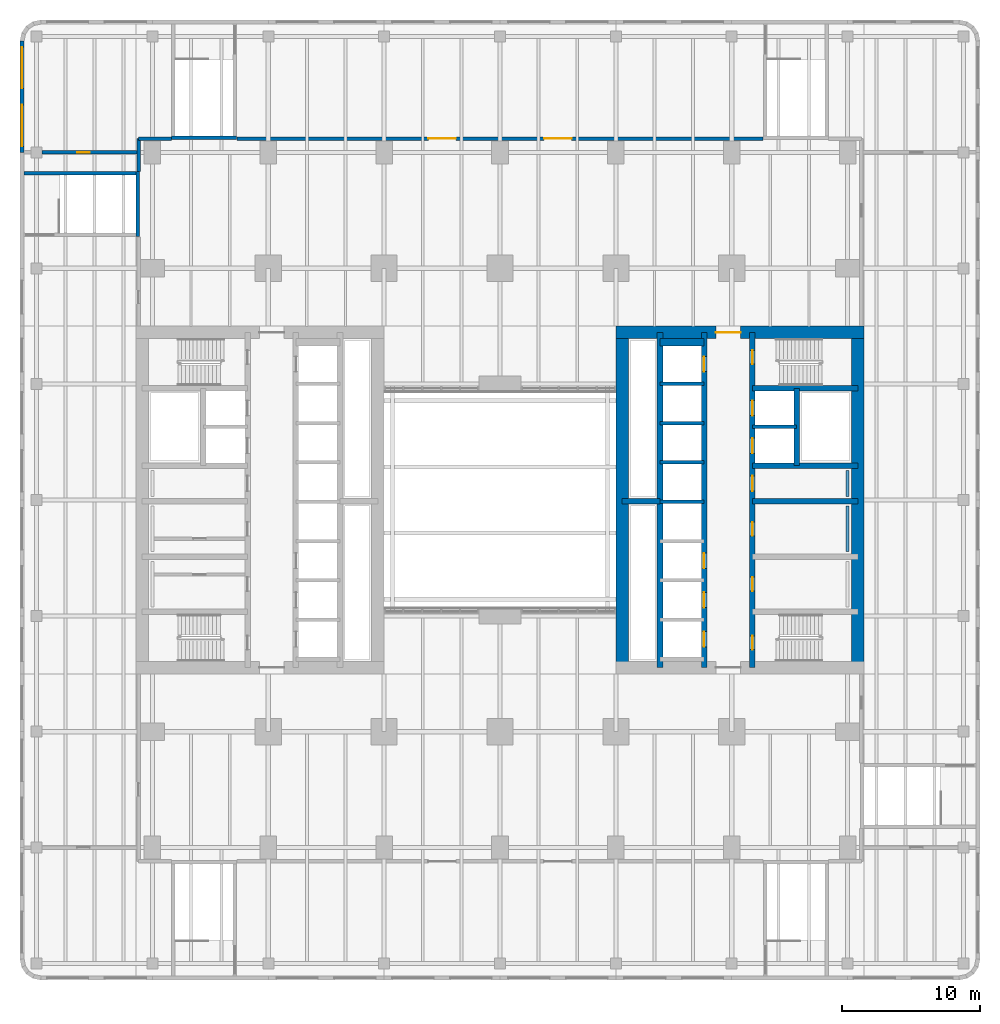
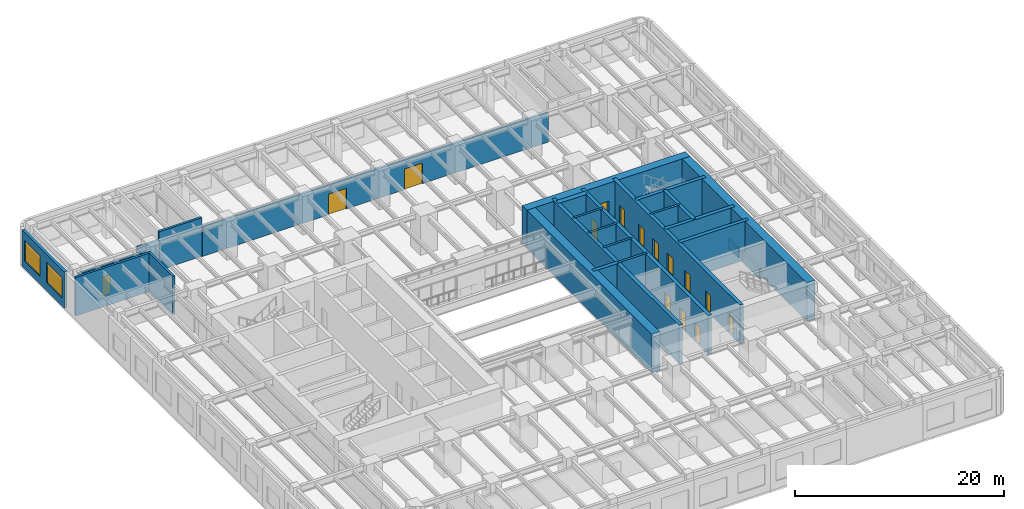
# One storey, part 12 of 22: 27 walls, 15 doors, 2 windows, 17 openings.
"""IFC4 building model written with IfcOpenShell, lengths in metres."""

from ifc_helpers import new_model, si_unit, direction, frame, frame_2d, origin, place, context, subcontext, project, spatial, rectangle, extrude, material, layer, layer_set, type_object, element, fill, save


model = new_model("IFC4")

# Units and contexts
model_context = context("Model", 3, precision=1e-05, world=origin(), true_north=direction((0.0, 1.0)))
body_context = subcontext(model_context, "Body", "Model", "MODEL_VIEW")
ifc_project = project(units=[si_unit("LENGTHUNIT", "METRE"), si_unit("AREAUNIT", "SQUARE_METRE"), si_unit("VOLUMEUNIT", "CUBIC_METRE"), si_unit("PLANEANGLEUNIT", "RADIAN"), si_unit("MASSUNIT", "GRAM", prefix="KILO")], contexts=[model_context])

# Site, building, storey
site_placement = place(None, origin())
site = spatial("IfcSite", under=ifc_project, at=site_placement, CompositionType="ELEMENT")
building_placement = place(site_placement, origin())
building = spatial("IfcBuilding", under=site, at=building_placement, Name="Claustro Exchange Tower", CompositionType="ELEMENT")
storey_placement = place(building_placement, frame((0.0, 0.0, 14.39990234375)))
storey = spatial("IfcBuildingStorey", under=building, at=storey_placement, Name="L03", CompositionType="ELEMENT", Elevation=14.39990234375)

# Wall
ifc_material_1 = material(Name="Concrete blockwork, rendered", Category="masonry")
ifc_layer_1 = layer(ifc_material_1, 0.25)
ifc_layer_set_1 = layer_set([ifc_layer_1], Name="Concrete blockwork, rendered")
wall_type_1 = type_object("IfcWallType", Name="P4 250 blockwork wall", PredefinedType="PARTITIONING", material=ifc_layer_set_1)
wall_1_placement = place(storey_placement, frame((-1.0, 51.39990234375, 0.0), z_axis=(0.0, 0.0, 1.0), x_axis=(1.0, 0.0, 0.0)))
element("IfcWall", 1, at=wall_1_placement, inside=storey, type_object=wall_type_1, Name="Partition P4 L03", PredefinedType="PARTITIONING", context=body_context, shape_type="SweptSolid", body=[
    extrude(rectangle(XDim=2.3798828125, YDim=0.25, at=frame_2d((1.18994140625, 0.0))), origin(), (0.0, 0.0, 1.0), 3.60009765625),
])

# Wall, openings, doors
wall_2_placement = place(storey_placement, frame((6.1201171875, 51.39990234375, 0.0), z_axis=(0.0, 0.0, 1.0), x_axis=(1.0, 0.0, 0.0)))
wall_2 = element("IfcWall", 2, at=wall_2_placement, inside=storey, type_object=wall_type_1, Name="Partition P4 L03", PredefinedType="PARTITIONING", context=body_context, shape_type="SweptSolid", body=[
    extrude(rectangle(XDim=38.159912109375, YDim=0.25, at=frame_2d((19.080078125, 0.0))), origin(), (0.0, 0.0, 1.0), 3.4501953125),
])
opening_1_placement = place(wall_2_placement, frame((13.8798828125, 0.0, 0.0)))
opening_1 = element("IfcOpeningElement", 3, at=opening_1_placement, cuts=wall_2, Name="Opening D9", PredefinedType="OPENING", context=body_context, shape_type="SweptSolid", body=[
    extrude(rectangle(XDim=2.0, YDim=2.39990234375, at=frame_2d((1.0, 1.199951171875))), frame((0.0, 0.135009765625, 0.0), z_axis=(0.0, -1.0, 0.0), x_axis=(1.0, 0.0, 0.0)), (0.0, 0.0, 1.0), 0.27001953125),
])
opening_2_placement = place(wall_2_placement, frame((22.280029296875, 0.0, 0.0)))
opening_2 = element("IfcOpeningElement", 4, at=opening_2_placement, cuts=wall_2, Name="Opening D9", PredefinedType="OPENING", context=body_context, shape_type="SweptSolid", body=[
    extrude(rectangle(XDim=2.0, YDim=2.39990234375, at=frame_2d((1.0, 1.199951171875))), frame((0.0, 0.135009765625, 0.0), z_axis=(0.0, -1.0, 0.0), x_axis=(1.0, 0.0, 0.0)), (0.0, 0.0, 1.0), 0.27001953125),
])
ifc_material_2 = material(Name="Steel fire door, painted", Category="steel")
door_type_1 = type_object("IfcDoorType", Name="D9 2000 x 2400 plant room double door", OperationType="DOUBLE_DOOR_SINGLE_SWING", PredefinedType="DOOR", material=ifc_material_2)
door_1_placement = place(opening_1_placement, frame((2.0, 0.0, 0.0), z_axis=(0.0, 0.0, 1.0), x_axis=(-1.0, 0.0, 0.0)))
door_1 = element("IfcDoor", 5, at=door_1_placement, inside=storey, type_object=door_type_1, Name="Double door D9 L03", OperationType="DOUBLE_DOOR_SINGLE_SWING", OverallHeight=2.39990234375, OverallWidth=2.0, PredefinedType="DOOR", context=body_context, shape_type="SweptSolid", body=[
    extrude(rectangle(XDim=2.0, YDim=2.39990234375, at=frame_2d((1.0, 1.199951171875))), frame((0.0, 0.02490234375, 0.0), z_axis=(0.0, -1.0, 0.0), x_axis=(1.0, 0.0, 0.0)), (0.0, 0.0, 1.0), 0.050048828125),
])
fill(opening_1, door_1)
door_2_placement = place(opening_2_placement, frame((2.0, 0.0, 0.0), z_axis=(0.0, 0.0, 1.0), x_axis=(-1.0, 0.0, 0.0)))
door_2 = element("IfcDoor", 6, at=door_2_placement, inside=storey, type_object=door_type_1, Name="Double door D9 L03", OperationType="DOUBLE_DOOR_SINGLE_SWING", OverallHeight=2.39990234375, OverallWidth=2.0, PredefinedType="DOOR", context=body_context, shape_type="SweptSolid", body=[
    extrude(rectangle(XDim=2.0, YDim=2.39990234375, at=frame_2d((1.0, 1.199951171875))), frame((0.0, 0.02490234375, 0.0), z_axis=(0.0, -1.0, 0.0), x_axis=(1.0, 0.0, 0.0)), (0.0, 0.0, 1.0), 0.050048828125),
])
fill(opening_2, door_2)

# Wall, opening, door
wall_3_placement = place(storey_placement, frame((-8.0009765625, 50.39990234375, 0.0), z_axis=(0.0, 0.0, 1.0), x_axis=(1.0, 0.0, 0.0)))
wall_3 = element("IfcWall", 7, at=wall_3_placement, inside=storey, type_object=wall_type_1, Name="Partition P4 L03", PredefinedType="PARTITIONING", context=body_context, shape_type="SweptSolid", body=[
    extrude(rectangle(XDim=6.876953125, YDim=0.25, at=frame_2d((3.4384765625, 0.0))), origin(), (0.0, 0.0, 1.0), 3.60009765625),
])
opening_3_placement = place(wall_3_placement, frame((2.551025390625, 0.0, 0.0)))
opening_3 = element("IfcOpeningElement", 8, at=opening_3_placement, cuts=wall_3, Name="Opening D12", PredefinedType="OPENING", context=body_context, shape_type="SweptSolid", body=[
    extrude(rectangle(XDim=0.89990234375, YDim=2.199951171875, at=frame_2d((0.449951171875, 1.10009765625))), frame((0.0, 0.135009765625, 0.0), z_axis=(0.0, -1.0, 0.0), x_axis=(1.0, 0.0, 0.0)), (0.0, 0.0, 1.0), 0.27001953125),
])
ifc_material_3 = material(Name="Steel door, painted", Category="steel")
door_type_2 = type_object("IfcDoorType", Name="D12 900 x 2200 plant and store room door", OperationType="SINGLE_SWING_LEFT", PredefinedType="DOOR", material=ifc_material_3)
door_3_placement = place(opening_3_placement, frame((0.89990234375, 0.0, 0.0), z_axis=(0.0, 0.0, 1.0), x_axis=(-1.0, 0.0, 0.0)))
door_3 = element("IfcDoor", 9, at=door_3_placement, inside=storey, type_object=door_type_2, Name="Door D12 L03", OperationType="SINGLE_SWING_LEFT", OverallHeight=2.199951171875, OverallWidth=0.89990234375, PredefinedType="DOOR", context=body_context, shape_type="SweptSolid", body=[
    extrude(rectangle(XDim=0.89990234375, YDim=2.199951171875, at=frame_2d((0.449951171875, 1.10009765625))), frame((0.0, 0.02490234375, 0.0), z_axis=(0.0, -1.0, 0.0), x_axis=(1.0, 0.0, 0.0)), (0.0, 0.0, 1.0), 0.050048828125),
])
fill(opening_3, door_3)

# Wall
wall_4_placement = place(storey_placement, frame((-1.0, 49.02001953125, 0.0), z_axis=(0.0, 0.0, 1.0), x_axis=(0.0, 1.0, 0.0)))
element("IfcWall", 10, at=wall_4_placement, inside=storey, type_object=wall_type_1, Name="Partition P4 L03", PredefinedType="PARTITIONING", context=body_context, shape_type="SweptSolid", body=[
    extrude(rectangle(XDim=2.3798828125, YDim=0.25, at=frame_2d((1.18994140625, 0.0))), origin(), (0.0, 0.0, 1.0), 3.60009765625),
])

# Wall, openings, windows
ifc_material_4 = material(Name="Concrete HA-40 (C40/50), precast, white cement, acid-etched", Category="concrete")
ifc_layer_2 = layer(ifc_material_4, 0.300048828125)
ifc_layer_set_2 = layer_set([ifc_layer_2], Name="Concrete HA-40 (C40/50), precast, white cement, acid-etched")
wall_type_2 = type_object("IfcWallType", Name="PC1 300 precast concrete pier panel", PredefinedType="SOLIDWALL", material=ifc_layer_set_2)
wall_5_placement = place(storey_placement, frame((-9.449951171875, 50.39990234375, 0.0), z_axis=(0.0, 0.0, 1.0), x_axis=(0.0, 1.0, 0.0)))
wall_5 = element("IfcWall", 11, at=wall_5_placement, inside=storey, type_object=wall_type_2, Name="Precast pier panel PC1 L03", PredefinedType="SOLIDWALL", context=body_context, shape_type="SweptSolid", body=[
    extrude(rectangle(XDim=8.085205078125, YDim=0.300048828125, at=frame_2d((4.04248046875, 0.0))), origin(), (0.0, 0.0, 1.0), 4.25),
])
opening_4_placement = place(wall_5_placement, frame((0.442626953125, 0.0, 0.89990234375)))
opening_4 = element("IfcOpeningElement", 12, at=opening_4_placement, cuts=wall_5, Name="Opening W3", PredefinedType="OPENING", context=body_context, shape_type="SweptSolid", body=[
    extrude(rectangle(XDim=3.0, YDim=2.39990234375, at=frame_2d((1.5, 1.199951171875))), frame((0.0, 0.159912109375, 0.0), z_axis=(0.0, -1.0, 0.0), x_axis=(1.0, 0.0, 0.0)), (0.0, 0.0, 1.0), 0.320068359375),
])
opening_5_placement = place(wall_5_placement, frame((4.642578125, 0.0, 0.89990234375)))
opening_5 = element("IfcOpeningElement", 13, at=opening_5_placement, cuts=wall_5, Name="Opening W3", PredefinedType="OPENING", context=body_context, shape_type="SweptSolid", body=[
    extrude(rectangle(XDim=3.0, YDim=2.39990234375, at=frame_2d((1.5, 1.199951171875))), frame((0.0, 0.159912109375, 0.0), z_axis=(0.0, -1.0, 0.0), x_axis=(1.0, 0.0, 0.0)), (0.0, 0.0, 1.0), 0.320068359375),
])
ifc_material_5 = material(Name="Aluminium frame, clear double glazing", Category="aluminium")
window_type = type_object("IfcWindowType", Name="W3 3000 x 2400 window", PartitioningType="SINGLE_PANEL", PredefinedType="WINDOW", material=ifc_material_5)
window_1_placement = place(opening_4_placement, origin())
window_1 = element("IfcWindow", 14, at=window_1_placement, inside=storey, type_object=window_type, Name="Window W3 L03", OverallHeight=2.39990234375, OverallWidth=3.0, PartitioningType="SINGLE_PANEL", PredefinedType="WINDOW", context=body_context, shape_type="SweptSolid", body=[
    extrude(rectangle(XDim=3.0, YDim=2.39990234375, at=frame_2d((1.5, 1.199951171875))), frame((0.0, 0.030029296875, 0.0), z_axis=(0.0, -1.0, 0.0), x_axis=(1.0, 0.0, 0.0)), (0.0, 0.0, 1.0), 0.06005859375),
])
fill(opening_4, window_1)
window_2_placement = place(opening_5_placement, origin())
window_2 = element("IfcWindow", 15, at=window_2_placement, inside=storey, type_object=window_type, Name="Window W3 L03", OverallHeight=2.39990234375, OverallWidth=3.0, PartitioningType="SINGLE_PANEL", PredefinedType="WINDOW", context=body_context, shape_type="SweptSolid", body=[
    extrude(rectangle(XDim=3.0, YDim=2.39990234375, at=frame_2d((1.5, 1.199951171875))), frame((0.0, 0.030029296875, 0.0), z_axis=(0.0, -1.0, 0.0), x_axis=(1.0, 0.0, 0.0)), (0.0, 0.0, 1.0), 0.06005859375),
])
fill(opening_5, window_2)

# Walls
ifc_material_6 = material(Name="Gypsum board on steel studs, tiled", Category="steel")
ifc_layer_3 = layer(ifc_material_6, 0.199951171875)
ifc_layer_set_3 = layer_set([ifc_layer_3], Name="Gypsum board on steel studs, tiled")
wall_type_3 = type_object("IfcWallType", Name="PW1 200 WC duct wall", PredefinedType="PLUMBINGWALL", material=ifc_layer_set_3)
wall_6_placement = place(storey_placement, frame((50.39990234375, 21.449951171875, 0.0), z_axis=(0.0, 0.0, 1.0), x_axis=(0.0, 1.0, 0.0)))
element("IfcWall", 16, at=wall_6_placement, inside=storey, type_object=wall_type_3, Name="WC duct wall PW1 L03", PredefinedType="PLUMBINGWALL", context=body_context, shape_type="SweptSolid", body=[
    extrude(rectangle(XDim=3.300048828125, YDim=0.199951171875, at=frame_2d((1.64990234375, 0.0))), origin(), (0.0, 0.0, 1.0), 1.2001953125),
])
wall_7_placement = place(storey_placement, frame((50.39990234375, 25.449951171875, 0.0), z_axis=(0.0, 0.0, 1.0), x_axis=(0.0, 1.0, 0.0)))
element("IfcWall", 17, at=wall_7_placement, inside=storey, type_object=wall_type_3, Name="WC duct wall PW1 L03", PredefinedType="PLUMBINGWALL", context=body_context, shape_type="SweptSolid", body=[
    extrude(rectangle(XDim=1.900146484375, YDim=0.199951171875, at=frame_2d((0.9501953125, 0.0))), origin(), (0.0, 0.0, 1.0), 1.2001953125),
])

# Wall, opening, door
ifc_material_7 = material(Name="Concrete HA-70 (C70/85)", Category="concrete")
ifc_layer_4 = layer(ifc_material_7, 0.89990234375)
ifc_layer_set_4 = layer_set([ifc_layer_4], Name="Concrete HA-70 (C70/85)")
wall_type_4 = type_object("IfcWallType", Name="SW1 900 core shear wall", PredefinedType="SHEAR", material=ifc_layer_set_4)
wall_8_placement = place(storey_placement, frame((33.60009765625, 37.35009765625, 0.0), z_axis=(0.0, 0.0, 1.0), x_axis=(1.0, 0.0, 0.0)))
wall_8 = element("IfcWall", 18, at=wall_8_placement, inside=storey, type_object=wall_type_4, Name="Core wall SW1 E core N face L03", PredefinedType="SHEAR", context=body_context, shape_type="SweptSolid", body=[
    extrude(rectangle(XDim=18.0, YDim=0.89990234375, at=frame_2d((9.0, 0.0))), origin(), (0.0, 0.0, 1.0), 4.5),
])
opening_6_placement = place(wall_8_placement, frame((7.25, 0.0, 0.0)))
opening_6 = element("IfcOpeningElement", 19, at=opening_6_placement, cuts=wall_8, Name="Opening D3", PredefinedType="OPENING", context=body_context, shape_type="SweptSolid", body=[
    extrude(rectangle(XDim=1.800048828125, YDim=2.39990234375, at=frame_2d((0.89990234375, 1.199951171875))), frame((0.0, 0.4599609375, 0.0), z_axis=(0.0, -1.0, 0.0), x_axis=(1.0, 0.0, 0.0)), (0.0, 0.0, 1.0), 0.919921875),
])
ifc_material_8 = material(Name="Steel fire door, painted", Category="steel")
door_type_3 = type_object("IfcDoorType", Name="D3 1800 x 2400 fire-rated lobby double door", OperationType="DOUBLE_DOOR_SINGLE_SWING", PredefinedType="DOOR", material=ifc_material_8)
door_4_placement = place(opening_6_placement, frame((1.800048828125, 0.0, 0.0), z_axis=(0.0, 0.0, 1.0), x_axis=(-1.0, 0.0, 0.0)))
door_4 = element("IfcDoor", 20, at=door_4_placement, inside=storey, type_object=door_type_3, Name="Lift lobby door D3 L03", OperationType="DOUBLE_DOOR_SINGLE_SWING", OverallHeight=2.39990234375, OverallWidth=1.800048828125, PredefinedType="DOOR", context=body_context, shape_type="SweptSolid", body=[
    extrude(rectangle(XDim=1.800048828125, YDim=2.39990234375, at=frame_2d((0.89990234375, 1.199951171875))), frame((0.0, 0.02490234375, 0.0), z_axis=(0.0, -1.0, 0.0), x_axis=(1.0, 0.0, 0.0)), (0.0, 0.0, 1.0), 0.050048828125),
])
fill(opening_6, door_4)

# Walls
ifc_material_9 = material(Name="Concrete HA-70 (C70/85)", Category="concrete")
ifc_layer_5 = layer(ifc_material_9, 0.89990234375)
ifc_layer_set_5 = layer_set([ifc_layer_5], Name="Concrete HA-70 (C70/85)")
wall_type_5 = type_object("IfcWallType", Name="SW1X 900 exposed core shear wall, board-marked face", PredefinedType="SHEAR", material=ifc_layer_set_5)
for number, where, z_axis, x_axis, name in (
    (21, (34.050048828125, 13.050048828125, 0.0), (0.0, 0.0, 1.0), (0.0, 1.0, 0.0), "Core wall SW1X E core W face L03"),
    (22, (51.14990234375, 13.050048828125, 0.0), (0.0, 0.0, 1.0), (0.0, 1.0, 0.0), "Core wall SW1X E core E face L03"),
):
    element("IfcWall", number, at=place(storey_placement, frame(where, z_axis=z_axis, x_axis=x_axis)), inside=storey, type_object=wall_type_5, Name=name, PredefinedType="SHEAR", context=body_context, shape_type="SweptSolid", body=[
        extrude(rectangle(XDim=24.300048828125, YDim=0.89990234375, at=frame_2d((12.14990234375, 0.0))), origin(), (0.0, 0.0, 1.0), 4.5),
    ])

# Wall, openings, doors
ifc_material_10 = material(Name="Concrete HA-50 (C50/60)", Category="concrete")
ifc_layer_6 = layer(ifc_material_10, 0.39990234375)
ifc_layer_set_6 = layer_set([ifc_layer_6], Name="Concrete HA-50 (C50/60)")
wall_type_6 = type_object("IfcWallType", Name="SW4 400 internal core wall", PredefinedType="SHEAR", material=ifc_layer_set_6)
wall_9_placement = place(storey_placement, frame((43.5, 13.050048828125, 0.0), z_axis=(0.0, 0.0, 1.0), x_axis=(0.0, 1.0, 0.0)))
wall_9 = element("IfcWall", 23, at=wall_9_placement, inside=storey, type_object=wall_type_6, Name="Internal core wall SW4 E core L03", PredefinedType="SHEAR", context=body_context, shape_type="SweptSolid", body=[
    extrude(rectangle(XDim=24.300048828125, YDim=0.39990234375, at=frame_2d((12.14990234375, 0.0))), origin(), (0.0, 0.0, 1.0), 4.5),
])
opening_7_placement = place(wall_9_placement, frame((1.300048828125, 0.0, 0.0)))
opening_7 = element("IfcOpeningElement", 24, at=opening_7_placement, cuts=wall_9, Name="Opening D4", PredefinedType="OPENING", context=body_context, shape_type="SweptSolid", body=[
    extrude(rectangle(XDim=1.0, YDim=2.199951171875, at=frame_2d((0.5, 1.10009765625))), frame((0.0, 0.2099609375, 0.0), z_axis=(0.0, -1.0, 0.0), x_axis=(1.0, 0.0, 0.0)), (0.0, 0.0, 1.0), 0.419921875),
])
opening_8_placement = place(wall_9_placement, frame((22.0, 0.0, 0.0)))
opening_8 = element("IfcOpeningElement", 25, at=opening_8_placement, cuts=wall_9, Name="Opening D4", PredefinedType="OPENING", context=body_context, shape_type="SweptSolid", body=[
    extrude(rectangle(XDim=1.0, YDim=2.199951171875, at=frame_2d((0.5, 1.10009765625))), frame((0.0, 0.2099609375, 0.0), z_axis=(0.0, -1.0, 0.0), x_axis=(1.0, 0.0, 0.0)), (0.0, 0.0, 1.0), 0.419921875),
])
opening_9_placement = place(wall_9_placement, frame((5.550048828125, 0.0, 0.0)))
opening_9 = element("IfcOpeningElement", 26, at=opening_9_placement, cuts=wall_9, Name="Opening D1", PredefinedType="OPENING", context=body_context, shape_type="SweptSolid", body=[
    extrude(rectangle(XDim=1.0, YDim=2.199951171875, at=frame_2d((0.5, 1.10009765625))), frame((0.0, 0.2099609375, 0.0), z_axis=(0.0, -1.0, 0.0), x_axis=(1.0, 0.0, 0.0)), (0.0, 0.0, 1.0), 0.419921875),
])
opening_10_placement = place(wall_9_placement, frame((9.550048828125, 0.0, 0.0)))
opening_10 = element("IfcOpeningElement", 27, at=opening_10_placement, cuts=wall_9, Name="Opening D1", PredefinedType="OPENING", context=body_context, shape_type="SweptSolid", body=[
    extrude(rectangle(XDim=1.0, YDim=2.199951171875, at=frame_2d((0.5, 1.10009765625))), frame((0.0, 0.2099609375, 0.0), z_axis=(0.0, -1.0, 0.0), x_axis=(1.0, 0.0, 0.0)), (0.0, 0.0, 1.0), 0.419921875),
])
opening_11_placement = place(wall_9_placement, frame((12.800048828125, 0.0, 0.0)))
opening_11 = element("IfcOpeningElement", 28, at=opening_11_placement, cuts=wall_9, Name="Opening D10", PredefinedType="OPENING", context=body_context, shape_type="SweptSolid", body=[
    extrude(rectangle(XDim=1.10009765625, YDim=2.199951171875, at=frame_2d((0.550048828125, 1.10009765625))), frame((0.0, 0.2099609375, 0.0), z_axis=(0.0, -1.0, 0.0), x_axis=(1.0, 0.0, 0.0)), (0.0, 0.0, 1.0), 0.419921875),
])
opening_12_placement = place(wall_9_placement, frame((15.53759765625, 0.0, 0.0)))
opening_12 = element("IfcOpeningElement", 29, at=opening_12_placement, cuts=wall_9, Name="Opening LD", PredefinedType="OPENING", context=body_context, shape_type="SweptSolid", body=[
    extrude(rectangle(XDim=1.10009765625, YDim=2.199951171875, at=frame_2d((0.550048828125, 1.10009765625))), frame((0.0, 0.2099609375, 0.0), z_axis=(0.0, -1.0, 0.0), x_axis=(1.0, 0.0, 0.0)), (0.0, 0.0, 1.0), 0.419921875),
])
opening_13_placement = place(wall_9_placement, frame((18.262451171875, 0.0, 0.0)))
opening_13 = element("IfcOpeningElement", 30, at=opening_13_placement, cuts=wall_9, Name="Opening LD", PredefinedType="OPENING", context=body_context, shape_type="SweptSolid", body=[
    extrude(rectangle(XDim=1.10009765625, YDim=2.199951171875, at=frame_2d((0.550048828125, 1.10009765625))), frame((0.0, 0.2099609375, 0.0), z_axis=(0.0, -1.0, 0.0), x_axis=(1.0, 0.0, 0.0)), (0.0, 0.0, 1.0), 0.419921875),
])
ifc_material_11 = material(Name="Timber door, oak veneer", Category="wood")
door_type_4 = type_object("IfcDoorType", Name="D1 1000 x 2200 single door", OperationType="SINGLE_SWING_LEFT", PredefinedType="DOOR", material=ifc_material_11)
door_5_placement = place(opening_9_placement, frame((1.0, 0.0, 0.0), z_axis=(0.0, 0.0, 1.0), x_axis=(-1.0, 0.0, 0.0)))
door_5 = element("IfcDoor", 31, at=door_5_placement, inside=storey, type_object=door_type_4, Name="Door D1 L03", OperationType="SINGLE_SWING_LEFT", OverallHeight=2.199951171875, OverallWidth=1.0, PredefinedType="DOOR", context=body_context, shape_type="SweptSolid", body=[
    extrude(rectangle(XDim=1.0, YDim=2.199951171875, at=frame_2d((0.5, 1.10009765625))), frame((0.0, 0.02490234375, 0.0), z_axis=(0.0, -1.0, 0.0), x_axis=(1.0, 0.0, 0.0)), (0.0, 0.0, 1.0), 0.050048828125),
])
fill(opening_9, door_5)
door_6_placement = place(opening_10_placement, frame((1.0, 0.0, 0.0), z_axis=(0.0, 0.0, 1.0), x_axis=(-1.0, 0.0, 0.0)))
door_6 = element("IfcDoor", 32, at=door_6_placement, inside=storey, type_object=door_type_4, Name="Door D1 L03", OperationType="SINGLE_SWING_LEFT", OverallHeight=2.199951171875, OverallWidth=1.0, PredefinedType="DOOR", context=body_context, shape_type="SweptSolid", body=[
    extrude(rectangle(XDim=1.0, YDim=2.199951171875, at=frame_2d((0.5, 1.10009765625))), frame((0.0, 0.02490234375, 0.0), z_axis=(0.0, -1.0, 0.0), x_axis=(1.0, 0.0, 0.0)), (0.0, 0.0, 1.0), 0.050048828125),
])
fill(opening_10, door_6)
ifc_material_12 = material(Name="Timber door, oak veneer", Category="wood")
door_type_5 = type_object("IfcDoorType", Name="D10 1100 x 2200 accessible WC door", OperationType="SINGLE_SWING_LEFT", PredefinedType="DOOR", material=ifc_material_12)
door_7_placement = place(opening_11_placement, origin())
door_7 = element("IfcDoor", 33, at=door_7_placement, inside=storey, type_object=door_type_5, Name="Accessible WC door D10 L03", OperationType="SINGLE_SWING_RIGHT", OverallHeight=2.199951171875, OverallWidth=1.10009765625, PredefinedType="DOOR", context=body_context, shape_type="SweptSolid", body=[
    extrude(rectangle(XDim=1.10009765625, YDim=2.199951171875, at=frame_2d((0.550048828125, 1.10009765625))), frame((0.0, 0.02490234375, 0.0), z_axis=(0.0, -1.0, 0.0), x_axis=(1.0, 0.0, 0.0)), (0.0, 0.0, 1.0), 0.050048828125),
])
fill(opening_11, door_7)
ifc_material_13 = material(Name="Steel fire door, painted", Category="steel")
door_type_6 = type_object("IfcDoorType", Name="D4 1000 x 2200 fire-rated stair door", OperationType="SINGLE_SWING_LEFT", PredefinedType="DOOR", material=ifc_material_13)
door_8_placement = place(opening_7_placement, frame((1.0, 0.0, 0.0), z_axis=(0.0, 0.0, 1.0), x_axis=(-1.0, 0.0, 0.0)))
door_8 = element("IfcDoor", 34, at=door_8_placement, inside=storey, type_object=door_type_6, Name="Stair door D4 L03", OperationType="SINGLE_SWING_RIGHT", OverallHeight=2.199951171875, OverallWidth=1.0, PredefinedType="DOOR", context=body_context, shape_type="SweptSolid", body=[
    extrude(rectangle(XDim=1.0, YDim=2.199951171875, at=frame_2d((0.5, 1.10009765625))), frame((0.0, 0.02490234375, 0.0), z_axis=(0.0, -1.0, 0.0), x_axis=(1.0, 0.0, 0.0)), (0.0, 0.0, 1.0), 0.050048828125),
])
fill(opening_7, door_8)
door_9_placement = place(opening_8_placement, frame((1.0, 0.0, 0.0), z_axis=(0.0, 0.0, 1.0), x_axis=(-1.0, 0.0, 0.0)))
door_9 = element("IfcDoor", 35, at=door_9_placement, inside=storey, type_object=door_type_6, Name="Stair door D4 L03", OperationType="SINGLE_SWING_LEFT", OverallHeight=2.199951171875, OverallWidth=1.0, PredefinedType="DOOR", context=body_context, shape_type="SweptSolid", body=[
    extrude(rectangle(XDim=1.0, YDim=2.199951171875, at=frame_2d((0.5, 1.10009765625))), frame((0.0, 0.02490234375, 0.0), z_axis=(0.0, -1.0, 0.0), x_axis=(1.0, 0.0, 0.0)), (0.0, 0.0, 1.0), 0.050048828125),
])
fill(opening_8, door_9)
ifc_material_14 = material(Name="Stainless steel sliding door", Category="steel")
door_type_7 = type_object("IfcDoorType", Name="LD 1100 x 2200 lift landing door", OperationType="DOUBLE_DOOR_SLIDING", PredefinedType="DOOR", material=ifc_material_14)
door_10_placement = place(opening_12_placement, origin())
door_10 = element("IfcDoor", 36, at=door_10_placement, inside=storey, type_object=door_type_7, Name="Lift landing door LEE1 LD L03", OperationType="DOUBLE_DOOR_SLIDING", OverallHeight=2.199951171875, OverallWidth=1.10009765625, PredefinedType="DOOR", context=body_context, shape_type="SweptSolid", body=[
    extrude(rectangle(XDim=1.10009765625, YDim=2.199951171875, at=frame_2d((0.550048828125, 1.10009765625))), frame((0.0, 0.02490234375, 0.0), z_axis=(0.0, -1.0, 0.0), x_axis=(1.0, 0.0, 0.0)), (0.0, 0.0, 1.0), 0.050048828125),
])
fill(opening_12, door_10)
door_11_placement = place(opening_13_placement, origin())
door_11 = element("IfcDoor", 37, at=door_11_placement, inside=storey, type_object=door_type_7, Name="Lift landing door LEE2 LD L03", OperationType="DOUBLE_DOOR_SLIDING", OverallHeight=2.199951171875, OverallWidth=1.10009765625, PredefinedType="DOOR", context=body_context, shape_type="SweptSolid", body=[
    extrude(rectangle(XDim=1.10009765625, YDim=2.199951171875, at=frame_2d((0.550048828125, 1.10009765625))), frame((0.0, 0.02490234375, 0.0), z_axis=(0.0, -1.0, 0.0), x_axis=(1.0, 0.0, 0.0)), (0.0, 0.0, 1.0), 0.050048828125),
])
fill(opening_13, door_11)

wall_10_placement = place(storey_placement, frame((40.0, 13.050048828125, 0.0), z_axis=(0.0, 0.0, 1.0), x_axis=(0.0, 1.0, 0.0)))
wall_10 = element("IfcWall", 38, at=wall_10_placement, inside=storey, type_object=wall_type_6, Name="Internal core wall SW4 E core L03", PredefinedType="SHEAR", context=body_context, shape_type="SweptSolid", body=[
    extrude(rectangle(XDim=24.300048828125, YDim=0.39990234375, at=frame_2d((12.14990234375, 0.0))), origin(), (0.0, 0.0, 1.0), 4.5),
])
opening_14_placement = place(wall_10_placement, frame((1.5, 0.0, 0.0)))
opening_14 = element("IfcOpeningElement", 39, at=opening_14_placement, cuts=wall_10, Name="Opening LD", PredefinedType="OPENING", context=body_context, shape_type="SweptSolid", body=[
    extrude(rectangle(XDim=1.10009765625, YDim=2.199951171875, at=frame_2d((0.550048828125, 1.10009765625))), frame((0.0, 0.2099609375, 0.0), z_axis=(0.0, -1.0, 0.0), x_axis=(1.0, 0.0, 0.0)), (0.0, 0.0, 1.0), 0.419921875),
])
opening_15_placement = place(wall_10_placement, frame((4.35009765625, 0.0, 0.0)))
opening_15 = element("IfcOpeningElement", 40, at=opening_15_placement, cuts=wall_10, Name="Opening LD", PredefinedType="OPENING", context=body_context, shape_type="SweptSolid", body=[
    extrude(rectangle(XDim=1.10009765625, YDim=2.199951171875, at=frame_2d((0.550048828125, 1.10009765625))), frame((0.0, 0.2099609375, 0.0), z_axis=(0.0, -1.0, 0.0), x_axis=(1.0, 0.0, 0.0)), (0.0, 0.0, 1.0), 0.419921875),
])
opening_16_placement = place(wall_10_placement, frame((7.199951171875, 0.0, 0.0)))
opening_16 = element("IfcOpeningElement", 41, at=opening_16_placement, cuts=wall_10, Name="Opening LD", PredefinedType="OPENING", context=body_context, shape_type="SweptSolid", body=[
    extrude(rectangle(XDim=1.10009765625, YDim=2.199951171875, at=frame_2d((0.550048828125, 1.10009765625))), frame((0.0, 0.2099609375, 0.0), z_axis=(0.0, -1.0, 0.0), x_axis=(1.0, 0.0, 0.0)), (0.0, 0.0, 1.0), 0.419921875),
])
opening_17_placement = place(wall_10_placement, frame((21.449951171875, 0.0, 0.0)))
opening_17 = element("IfcOpeningElement", 42, at=opening_17_placement, cuts=wall_10, Name="Opening LD", PredefinedType="OPENING", context=body_context, shape_type="SweptSolid", body=[
    extrude(rectangle(XDim=1.10009765625, YDim=2.199951171875, at=frame_2d((0.550048828125, 1.10009765625))), frame((0.0, 0.2099609375, 0.0), z_axis=(0.0, -1.0, 0.0), x_axis=(1.0, 0.0, 0.0)), (0.0, 0.0, 1.0), 0.419921875),
])
door_12_placement = place(opening_14_placement, origin())
door_12 = element("IfcDoor", 43, at=door_12_placement, inside=storey, type_object=door_type_7, Name="Lift landing door LLE1 LD L03", OperationType="DOUBLE_DOOR_SLIDING", OverallHeight=2.199951171875, OverallWidth=1.10009765625, PredefinedType="DOOR", context=body_context, shape_type="SweptSolid", body=[
    extrude(rectangle(XDim=1.10009765625, YDim=2.199951171875, at=frame_2d((0.550048828125, 1.10009765625))), frame((0.0, 0.02490234375, 0.0), z_axis=(0.0, -1.0, 0.0), x_axis=(1.0, 0.0, 0.0)), (0.0, 0.0, 1.0), 0.050048828125),
])
fill(opening_14, door_12)
door_13_placement = place(opening_15_placement, origin())
door_13 = element("IfcDoor", 44, at=door_13_placement, inside=storey, type_object=door_type_7, Name="Lift landing door LLE2 LD L03", OperationType="DOUBLE_DOOR_SLIDING", OverallHeight=2.199951171875, OverallWidth=1.10009765625, PredefinedType="DOOR", context=body_context, shape_type="SweptSolid", body=[
    extrude(rectangle(XDim=1.10009765625, YDim=2.199951171875, at=frame_2d((0.550048828125, 1.10009765625))), frame((0.0, 0.02490234375, 0.0), z_axis=(0.0, -1.0, 0.0), x_axis=(1.0, 0.0, 0.0)), (0.0, 0.0, 1.0), 0.050048828125),
])
fill(opening_15, door_13)
door_14_placement = place(opening_16_placement, origin())
door_14 = element("IfcDoor", 45, at=door_14_placement, inside=storey, type_object=door_type_7, Name="Lift landing door LLE3 LD L03", OperationType="DOUBLE_DOOR_SLIDING", OverallHeight=2.199951171875, OverallWidth=1.10009765625, PredefinedType="DOOR", context=body_context, shape_type="SweptSolid", body=[
    extrude(rectangle(XDim=1.10009765625, YDim=2.199951171875, at=frame_2d((0.550048828125, 1.10009765625))), frame((0.0, 0.02490234375, 0.0), z_axis=(0.0, -1.0, 0.0), x_axis=(1.0, 0.0, 0.0)), (0.0, 0.0, 1.0), 0.050048828125),
])
fill(opening_16, door_14)
door_15_placement = place(opening_17_placement, origin())
door_15 = element("IfcDoor", 46, at=door_15_placement, inside=storey, type_object=door_type_7, Name="Lift landing door LSE1 LD L03", OperationType="DOUBLE_DOOR_SLIDING", OverallHeight=2.199951171875, OverallWidth=1.10009765625, PredefinedType="DOOR", context=body_context, shape_type="SweptSolid", body=[
    extrude(rectangle(XDim=1.10009765625, YDim=2.199951171875, at=frame_2d((0.550048828125, 1.10009765625))), frame((0.0, 0.02490234375, 0.0), z_axis=(0.0, -1.0, 0.0), x_axis=(1.0, 0.0, 0.0)), (0.0, 0.0, 1.0), 0.050048828125),
])
fill(opening_17, door_15)

# Walls
wall_11_placement = place(storey_placement, frame((36.800048828125, 13.050048828125, 0.0), z_axis=(0.0, 0.0, 1.0), x_axis=(0.0, 1.0, 0.0)))
element("IfcWall", 47, at=wall_11_placement, inside=storey, type_object=wall_type_6, Name="Internal core wall SW4 E core L03", PredefinedType="SHEAR", context=body_context, shape_type="SweptSolid", body=[
    extrude(rectangle(XDim=24.300048828125, YDim=0.39990234375, at=frame_2d((12.14990234375, 0.0))), origin(), (0.0, 0.0, 1.0), 4.5),
])
for number, where, z_axis, x_axis, name in (
    (48, (51.14990234375, 25.10009765625, 0.0), (0.0, 0.0, 1.0), (-1.0, 0.0, 0.0), "Internal core wall SW4 E core L03"),
    (49, (51.14990234375, 27.699951171875, 0.0), (0.0, 0.0, 1.0), (-1.0, 0.0, 0.0), "Internal core wall SW4 E core L03"),
    (50, (51.14990234375, 33.300048828125, 0.0), (0.0, 0.0, 1.0), (-1.0, 0.0, 0.0), "Internal core wall SW4 E core L03"),
):
    element("IfcWall", number, at=place(storey_placement, frame(where, z_axis=z_axis, x_axis=x_axis)), inside=storey, type_object=wall_type_6, Name=name, PredefinedType="SHEAR", context=body_context, shape_type="SweptSolid", body=[
        extrude(rectangle(XDim=7.64990234375, YDim=0.39990234375, at=frame_2d((3.824951171875, 0.0))), origin(), (0.0, 0.0, 1.0), 4.5),
    ])
wall_12_placement = place(storey_placement, frame((46.699951171875, 27.699951171875, 0.0), z_axis=(0.0, 0.0, 1.0), x_axis=(0.0, 1.0, 0.0)))
element("IfcWall", 51, at=wall_12_placement, inside=storey, type_object=wall_type_6, Name="Internal core wall SW4 E core L03", PredefinedType="SHEAR", context=body_context, shape_type="SweptSolid", body=[
    extrude(rectangle(XDim=5.60009765625, YDim=0.39990234375, at=frame_2d((2.800048828125, 0.0))), origin(), (0.0, 0.0, 1.0), 4.5),
])
wall_13_placement = place(storey_placement, frame((36.800048828125, 25.10009765625, 0.0), z_axis=(0.0, 0.0, 1.0), x_axis=(-1.0, 0.0, 0.0)))
element("IfcWall", 52, at=wall_13_placement, inside=storey, type_object=wall_type_6, Name="Internal core wall SW4 E core L03", PredefinedType="SHEAR", context=body_context, shape_type="SweptSolid", body=[
    extrude(rectangle(XDim=2.75, YDim=0.39990234375, at=frame_2d((1.375, 0.0))), origin(), (0.0, 0.0, 1.0), 4.5),
])
ifc_material_15 = material(Name="Concrete HA-50 (C50/60)", Category="concrete")
ifc_layer_7 = layer(ifc_material_15, 0.25)
ifc_layer_set_7 = layer_set([ifc_layer_7], Name="Concrete HA-50 (C50/60)")
wall_type_7 = type_object("IfcWallType", Name="SW5 250 lift shaft divider wall", PredefinedType="SHEAR", material=ifc_layer_set_7)
for number, where, z_axis, x_axis, name in (
    (53, (46.699951171875, 30.5, 0.0), (0.0, 0.0, 1.0), (-1.0, 0.0, 0.0), "Lift shaft wall E core L03"),
    (54, (40.0, 25.074951171875, 0.0), (0.0, 0.0, 1.0), (-1.0, 0.0, 0.0), "Lift shaft wall E core L03"),
    (55, (40.0, 27.925048828125, 0.0), (0.0, 0.0, 1.0), (-1.0, 0.0, 0.0), "Lift shaft wall E core L03"),
    (56, (40.0, 30.77490234375, 0.0), (0.0, 0.0, 1.0), (-1.0, 0.0, 0.0), "Lift shaft wall E core L03"),
    (57, (40.0, 33.625, 0.0), (0.0, 0.0, 1.0), (-1.0, 0.0, 0.0), "Lift shaft wall E core L03"),
):
    element("IfcWall", number, at=place(storey_placement, frame(where, z_axis=z_axis, x_axis=x_axis)), inside=storey, type_object=wall_type_7, Name=name, PredefinedType="SHEAR", context=body_context, shape_type="SweptSolid", body=[
        extrude(rectangle(XDim=3.199951171875, YDim=0.25, at=frame_2d((1.60009765625, 0.0))), origin(), (0.0, 0.0, 1.0), 4.5),
    ])
ifc_material_16 = material(Name="Concrete HA-50 (C50/60)", Category="concrete")
ifc_layer_8 = layer(ifc_material_16, 0.550048828125)
ifc_layer_set_8 = layer_set([ifc_layer_8], Name="Concrete HA-50 (C50/60)")
wall_type_8 = type_object("IfcWallType", Name="SW6 550 lift shaft end wall", PredefinedType="SHEAR", material=ifc_layer_set_8)
wall_14_placement = place(storey_placement, frame((40.0, 36.625, 0.0), z_axis=(0.0, 0.0, 1.0), x_axis=(-1.0, 0.0, 0.0)))
element("IfcWall", 58, at=wall_14_placement, inside=storey, type_object=wall_type_8, Name="Lift shaft wall E core L03", PredefinedType="SHEAR", context=body_context, shape_type="SweptSolid", body=[
    extrude(rectangle(XDim=3.199951171875, YDim=0.550048828125, at=frame_2d((1.60009765625, 0.0))), origin(), (0.0, 0.0, 1.0), 4.5),
])
ifc_material_17 = material(Name="Concrete HA-40 (C40/50)", Category="concrete")
ifc_layer_9 = layer(ifc_material_17, 0.25)
ifc_layer_set_9 = layer_set([ifc_layer_9], Name="Concrete HA-40 (C40/50)")
wall_type_9 = type_object("IfcWallType", Name="SW7 250 reinforced concrete stair wall", PredefinedType="SOLIDWALL", material=ifc_layer_set_9)
wall_15_placement = place(storey_placement, frame((1.39990234375, 51.47509765625, 0.0), z_axis=(0.0, 0.0, 1.0), x_axis=(1.0, 0.0, 0.0)))
element("IfcWall", 59, at=wall_15_placement, inside=storey, type_object=wall_type_9, Name="Stair enclosure wall STP3 SW7 L03", PredefinedType="SOLIDWALL", context=body_context, shape_type="SweptSolid", body=[
    extrude(rectangle(XDim=4.7001953125, YDim=0.25, at=frame_2d((2.35009765625, 0.0))), origin(), (0.0, 0.0, 1.0), 4.5),
])
wall_16_placement = place(storey_placement, frame((-9.302001953125, 48.875, 0.0), z_axis=(0.0, 0.0, 1.0), x_axis=(1.0, 0.0, 0.0)))
element("IfcWall", 60, at=wall_16_placement, inside=storey, type_object=wall_type_9, Name="Stair enclosure wall STP5 SW7 L03", PredefinedType="SOLIDWALL", context=body_context, shape_type="SweptSolid", body=[
    extrude(rectangle(XDim=8.10205078125, YDim=0.25, at=frame_2d((4.051025390625, 0.0))), origin(), (0.0, 0.0, 1.0), 4.5),
])
wall_17_placement = place(storey_placement, frame((-1.074951171875, 44.300048828125, 0.0), z_axis=(0.0, 0.0, 1.0), x_axis=(0.0, 1.0, 0.0)))
element("IfcWall", 61, at=wall_17_placement, inside=storey, type_object=wall_type_9, Name="Stair enclosure wall STP5 SW7 L03", PredefinedType="SOLIDWALL", context=body_context, shape_type="SweptSolid", body=[
    extrude(rectangle(XDim=4.699951171875, YDim=0.25, at=frame_2d((2.35009765625, 0.0))), origin(), (0.0, 0.0, 1.0), 4.5),
])

save(model, "model.ifc")
